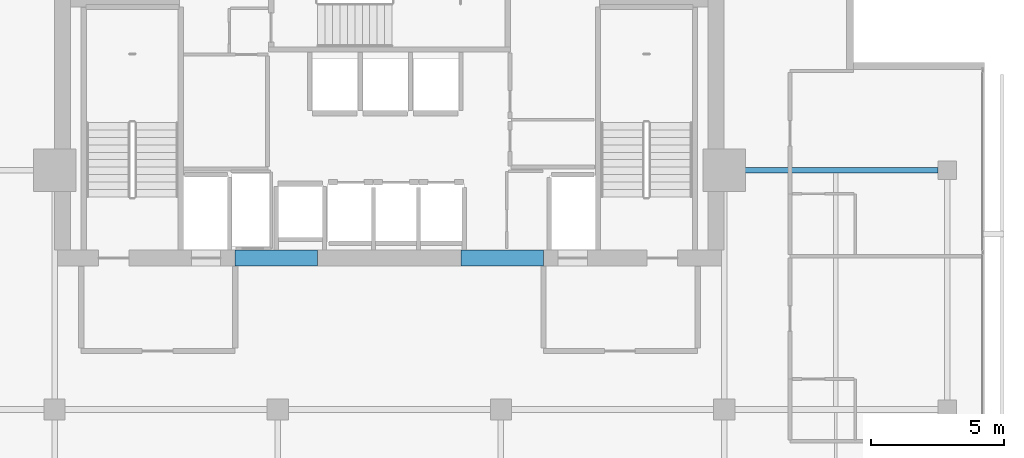
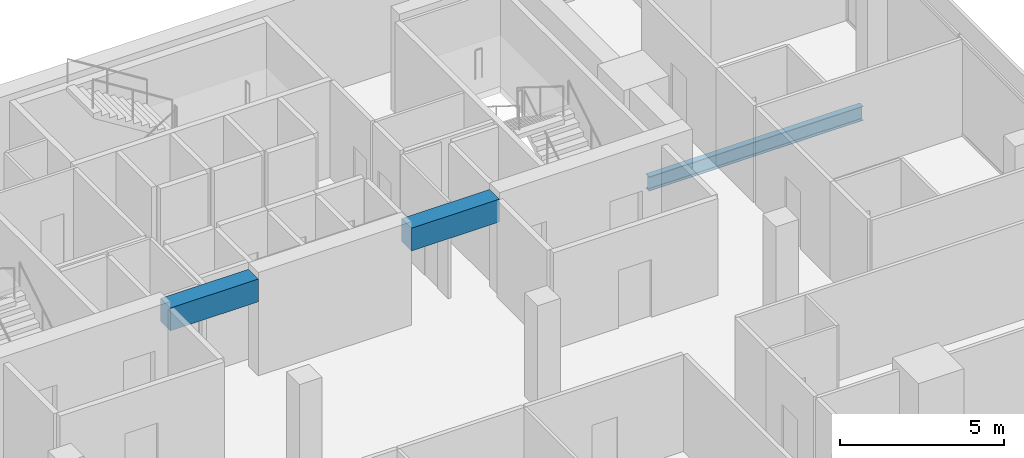
# One storey, part 17 of 25: 3 beams.
"""IFC4 building model written with IfcOpenShell, lengths in metres."""

from ifc_helpers import new_model, si_unit, direction, frame, origin, origin_2d, place, context, subcontext, project, spatial, rectangle, i_section, extrude, material, material_profile, profile_set, type_object, element, save


model = new_model("IFC4")

# Units and contexts
model_context = context("Model", 3, precision=1e-05, world=origin(), true_north=direction((0.0, 1.0)))
body_context = subcontext(model_context, "Body", "Model", "MODEL_VIEW")
ifc_project = project(units=[si_unit("LENGTHUNIT", "METRE"), si_unit("AREAUNIT", "SQUARE_METRE"), si_unit("VOLUMEUNIT", "CUBIC_METRE"), si_unit("PLANEANGLEUNIT", "RADIAN"), si_unit("MASSUNIT", "GRAM", prefix="KILO")], contexts=[model_context])

# Site, building, storey
site_placement = place(None, origin())
site = spatial("IfcSite", under=ifc_project, at=site_placement, CompositionType="ELEMENT")
building_placement = place(site_placement, origin())
building = spatial("IfcBuilding", under=site, at=building_placement, Name="Maruvema Waterfront Hotel and Observation Tower", CompositionType="ELEMENT")
storey_placement = place(building_placement, frame((0.0, 0.0, 250.949951171875)))
storey = spatial("IfcBuildingStorey", under=building, at=storey_placement, Name="L61", CompositionType="ELEMENT", Elevation=250.949951171875)

# Beams
ifc_material_1 = material(Name="Concrete C60/75", Category="concrete")
ifc_material_profile_1 = material_profile(ifc_material_1, rectangle(XDim=0.60009765625, YDim=0.85009765625, at=origin_2d()), Name="CB600x850")
ifc_profile_set_1 = profile_set([ifc_material_profile_1], Name="Concrete C60/75")
beam_type_1 = type_object("IfcBeamType", Name="Core Coupling Lintel Beam CB600x850", PredefinedType="LINTEL", material=ifc_profile_set_1)
for number, where, z_axis, x_axis, name in (
    (1, (32.0, 41.699951171875, 3.18505859375), (1.0, 0.0, 0.0), (0.0, 1.0, 0.0), "L61 Core Coupling Lintel Beam West"),
    (2, (40.5, 41.699951171875, 3.18505859375), (1.0, 0.0, 0.0), (0.0, 1.0, 0.0), "L61 Core Coupling Lintel Beam East"),
):
    element("IfcBeam", number, at=place(storey_placement, frame(where, z_axis=z_axis, x_axis=x_axis)), inside=storey, type_object=beam_type_1, Name=name, PredefinedType="LINTEL", context=body_context, shape_type="SweptSolid", body=[
        extrude(rectangle(XDim=0.60009765625, YDim=0.85009765625, at=origin_2d()), origin(), (0.0, 0.0, 1.0), 3.10009765625),
    ])
ifc_material_2 = material(Name="Steel ASTM A572 Grade 50", Category="steel")
ifc_material_profile_2 = material_profile(ifc_material_2, i_section(OverallWidth=0.208984375, OverallDepth=0.532958984375, WebThickness=0.01025390625, FlangeThickness=0.015625, FilletRadius=0.014892578125, at=origin_2d()), Name="W530x92.0")
ifc_profile_set_2 = profile_set([ifc_material_profile_2], Name="Steel ASTM A572 Grade 50")
beam_type_2 = type_object("IfcBeamType", Name="Primary Floor Girder W530x92.0", PredefinedType="BEAM", material=ifc_profile_set_2)
beam_placement = place(storey_placement, frame((50.89990234375, 45.0, -0.50634765625), z_axis=(1.0, 0.0, 0.0), x_axis=(0.0, 1.0, 0.0)))
element("IfcBeam", 3, at=beam_placement, inside=storey, type_object=beam_type_2, Name="L61 Floor Girder EW-18", PredefinedType="BEAM", context=body_context, shape_type="SweptSolid", body=[
    extrude(i_section(OverallWidth=0.208984375, OverallDepth=0.532958984375, WebThickness=0.01025390625, FlangeThickness=0.015625, FilletRadius=0.014892578125, at=origin_2d()), origin(), (0.0, 0.0, 1.0), 7.550048828125),
])

save(model, "model.ifc")
